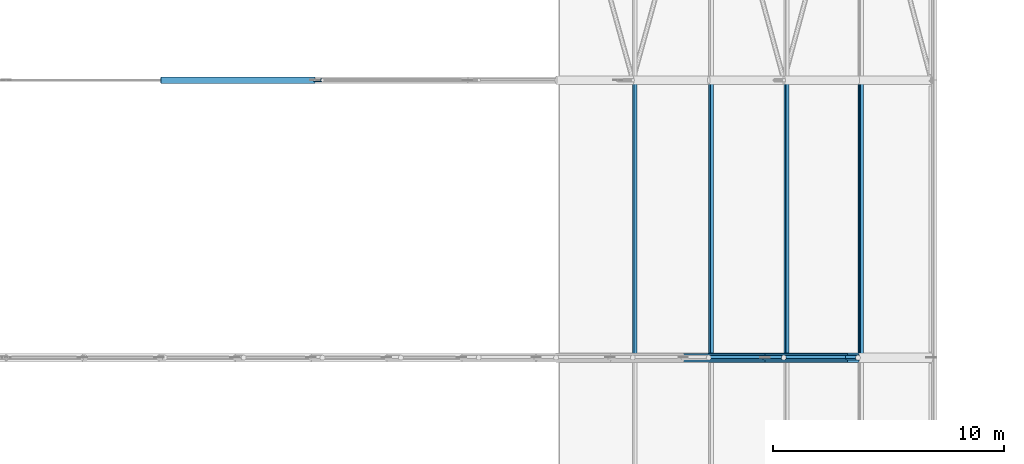
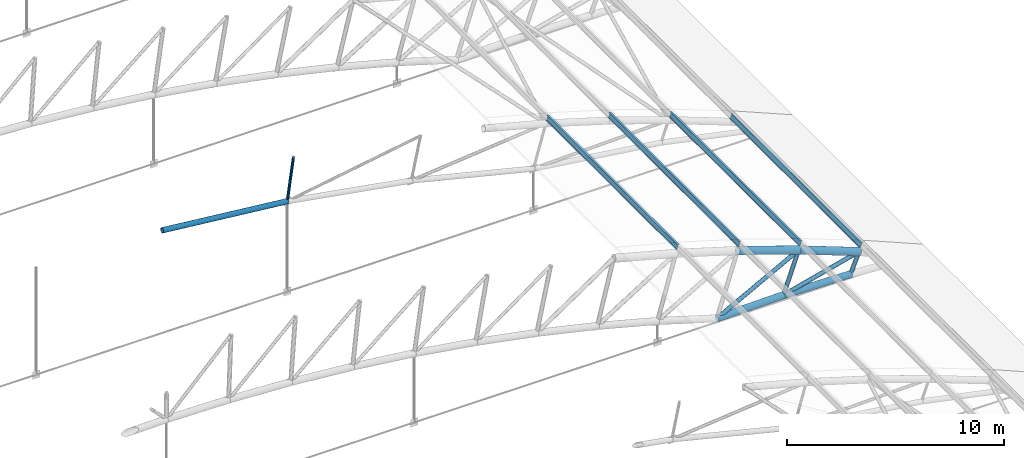
# One storey, part 50 of 321: 14 members.
"""IFC4 building model written with IfcOpenShell, lengths in metres."""

import ifcopenshell
import ifcopenshell.guid

model = None  # the IFC model being written
_history = None  # IfcOwnerHistory: only IFC2X3 demands one
_inside = {}  # id of a spatial element -> (the spatial element, [elements in it])
_under = {}  # id of a project, library or spatial element -> (it, [spatial elements below it])
_declared = {}  # id of a project -> (the project, [libraries it declares])
_typed = {}  # id of a type object -> (the type object, [elements of that type])
_made_of = {}  # id of a material, layer set ... -> (it, [elements and type objects made of it])


def new_model(schema):
    """Start an empty IFC model of exactly this schema.

    Asked for "IFC4X3", IfcOpenShell would pick the latest addendum, in which some entities
    have other attributes; the version numbers below select the first issue.
    IFC2X3 requires an IfcOwnerHistory on every rooted entity: one is made here for all.
    """
    global model, _history
    if schema == "IFC4X3":
        model = ifcopenshell.file(schema_version=(4, 3, 0, 0))
    else:
        model = ifcopenshell.file(schema=schema)
    _inside.clear()
    _under.clear()
    _declared.clear()
    _typed.clear()
    _made_of.clear()
    _history = None
    if model.schema == "IFC2X3":
        org = make("IfcOrganization", Name="unknown")
        user = make(
            "IfcPersonAndOrganization",
            ThePerson=make("IfcPerson", FamilyName="unknown"),
            TheOrganization=org,
        )
        app = make(
            "IfcApplication",
            ApplicationDeveloper=org,
            Version="unknown",
            ApplicationFullName="unknown",
            ApplicationIdentifier="unknown",
        )
        _history = make(
            "IfcOwnerHistory",
            OwningUser=user,
            OwningApplication=app,
            ChangeAction="ADDED",
            CreationDate=0,
        )
    return model


def make(cls, **values):
    """One entity of the class cls with the attributes given. An attribute that is None is left unset."""
    return model.create_entity(
        cls, **{name: value for name, value in values.items() if value is not None}
    )


def rooted(cls, **values):
    """An entity with a GlobalId (a new one), such as an element, a storey or a relation."""
    return make(cls, GlobalId=ifcopenshell.guid.new(), OwnerHistory=_history, **values)


def si_unit(unit_type, name, prefix=None):
    """IfcSIUnit, for example si_unit("LENGTHUNIT", "METRE", prefix="MILLI")."""
    return make("IfcSIUnit", UnitType=unit_type, Prefix=prefix, Name=name)


def assignment(units):
    """IfcUnitAssignment: the units of a project."""
    return None if units is None else make("IfcUnitAssignment", Units=units)


def point(xyz):
    """IfcCartesianPoint."""
    return None if xyz is None else make("IfcCartesianPoint", Coordinates=xyz)


def direction(xyz):
    """IfcDirection."""
    return None if xyz is None else make("IfcDirection", DirectionRatios=xyz)


def frame(location, z_axis=None, x_axis=None):
    """IfcAxis2Placement3D, a coordinate frame: its origin and axes. An axis left out is left unset."""
    return make(
        "IfcAxis2Placement3D",
        Location=point(location),
        Axis=direction(z_axis),
        RefDirection=direction(x_axis),
    )


def frame_2d(location, x_axis=None):
    """IfcAxis2Placement2D, a coordinate frame in the plane: its origin and x axis."""
    return make(
        "IfcAxis2Placement2D", Location=point(location), RefDirection=direction(x_axis)
    )


def origin():
    """The frame at (0, 0, 0) with its axes left unset."""
    return frame((0.0, 0.0, 0.0))


def origin_2d():
    """The frame at (0, 0) in the plane with its x axis left unset."""
    return frame_2d((0.0, 0.0))


def place(relative_to, where):
    """IfcLocalPlacement: puts the frame where relative to a parent placement (None: the world)."""
    return make(
        "IfcLocalPlacement", PlacementRelTo=relative_to, RelativePlacement=where
    )


def context(
    kind, dimensions, precision=None, world=None, true_north=None, identifier=None
):
    """IfcGeometricRepresentationContext, for example the 3D "Model" context."""
    return make(
        "IfcGeometricRepresentationContext",
        ContextIdentifier=identifier,
        ContextType=kind,
        CoordinateSpaceDimension=dimensions,
        Precision=precision,
        WorldCoordinateSystem=world,
        TrueNorth=true_north,
    )


def subcontext(parent, identifier, kind, view, scale=None):
    """IfcGeometricRepresentationSubContext, for example "Body" below "Model"."""
    return make(
        "IfcGeometricRepresentationSubContext",
        ContextIdentifier=identifier,
        ContextType=kind,
        ParentContext=parent,
        TargetScale=scale,
        TargetView=view,
    )


def project(units=None, contexts=None):
    """IfcProject with its units and contexts."""
    return rooted(
        "IfcProject",
        Name="project",
        RepresentationContexts=contexts,
        UnitsInContext=assignment(units),
    )


def spatial(cls, under=None, at=None, **own):
    """A site, building, storey or space (cls), placed at a placement, below another one or the project."""
    s = rooted(cls, ObjectPlacement=at, **own)
    if under is not None:
        _under.setdefault(under.id(), (under, []))[1].append(s)
    return s


def profile(cls, at=None, kind="AREA", **sizes):
    """A parametric profile (cls). Its sizes go by their IFC names, for example OverallWidth=200.0."""
    return make(cls, ProfileType=kind, Position=at, **sizes)


def hollow_circle(**sizes):
    """IfcCircleHollowProfileDef."""
    return profile("IfcCircleHollowProfileDef", **sizes)


def i_section(**sizes):
    """IfcIShapeProfileDef."""
    return profile("IfcIShapeProfileDef", **sizes)


def extrude(swept, where, along, depth):
    """IfcExtrudedAreaSolid: the profile swept, set in the frame where, extruded along a direction by depth."""
    return make(
        "IfcExtrudedAreaSolid",
        SweptArea=swept,
        Position=where,
        ExtrudedDirection=direction(along),
        Depth=depth,
    )


def shape(context_of_items, identifier, shape_type, items):
    """IfcShapeRepresentation: the items that make up one representation, for example the "Body"."""
    return make(
        "IfcShapeRepresentation",
        ContextOfItems=context_of_items,
        RepresentationIdentifier=identifier,
        RepresentationType=shape_type,
        Items=items,
    )


def material(Name=None, Category=None):
    """IfcMaterial."""
    return make("IfcMaterial", Name=Name, Category=Category)


def material_profile(
    of_material, cross_section, Name=None, Category=None, Priority=None
):
    """IfcMaterialProfile: a cross section and its material."""
    return make(
        "IfcMaterialProfile",
        Name=Name,
        Material=of_material,
        Profile=cross_section,
        Priority=Priority,
        Category=Category,
    )


def profile_set(profiles, Name=None, composite=None):
    """IfcMaterialProfileSet."""
    return make(
        "IfcMaterialProfileSet",
        Name=Name,
        MaterialProfiles=profiles,
        CompositeProfile=composite,
    )


def made_of(thing, what):
    """Note that an element or type object is made of a material, layer set ...; save() writes the relation."""
    if what is not None:
        _made_of.setdefault(what.id(), (what, []))[1].append(thing)
    return thing


def type_object(cls, material=None, **own):
    """A type object (cls), such as IfcWallType, which elements share."""
    return made_of(rooted(cls, **own), material)


def element(
    cls,
    number,
    at=None,
    inside=None,
    cuts=None,
    type_object=None,
    material=None,
    context=None,
    identifier="Body",
    shape_type=None,
    held_by="IfcProductDefinitionShape",
    body=None,
    shapes=None,
    **own,
):
    """One element of the class cls, such as IfcWall. Its Tag is "e" and its number.

    at: its placement. inside: the storey or other place that contains it. cuts: it is an
    opening in that element (IfcRelVoidsElement). A single representation is given by context,
    identifier, shape_type and body (its items); several are given by shapes. held_by: the class
    of the entity that holds the representations. save() writes the other relations.
    """
    e = rooted(cls, Tag="e%d" % number, ObjectPlacement=at, **own)
    if body is not None:
        shapes = [shape(context, identifier, shape_type, body)]
    if shapes is not None:
        e.Representation = make(held_by, Representations=shapes)
    if inside is not None:
        _inside.setdefault(inside.id(), (inside, []))[1].append(e)
    if cuts is not None:
        rooted(
            "IfcRelVoidsElement", RelatingBuildingElement=cuts, RelatedOpeningElement=e
        )
    if type_object is not None:
        _typed.setdefault(type_object.id(), (type_object, []))[1].append(e)
    return made_of(e, material)


def aggregate(whole, parts):
    """IfcRelAggregates: a whole, such as a stair, and the parts it consists of."""
    return rooted("IfcRelAggregates", RelatingObject=whole, RelatedObjects=parts)


def save(model, path):
    """Write the relations noted so far, then the file.

    IfcRelAggregates (storeys below a building ...), IfcRelContainedInSpatialStructure (elements
    in a storey), IfcRelDefinesByType, IfcRelAssociatesMaterial and IfcRelDeclares: one each for
    every whole, place, type object, material and project.
    """
    for whole, parts in _under.values():
        aggregate(whole, parts)
    for where, things in _inside.values():
        rooted(
            "IfcRelContainedInSpatialStructure",
            RelatedElements=things,
            RelatingStructure=where,
        )
    for kind, things in _typed.values():
        rooted("IfcRelDefinesByType", RelatedObjects=things, RelatingType=kind)
    for what, things in _made_of.values():
        rooted("IfcRelAssociatesMaterial", RelatedObjects=things, RelatingMaterial=what)
    for by, libraries in _declared.values():
        rooted("IfcRelDeclares", RelatingContext=by, RelatedDefinitions=libraries)
    model.write(path)


model = new_model("IFC4")

# Units and contexts
model_context = context("Model", 3, precision=1e-05, world=origin(), true_north=direction((0.0, 1.0)))
body_context = subcontext(model_context, "Body", "Model", "MODEL_VIEW")
ifc_project = project(units=[si_unit("LENGTHUNIT", "METRE"), si_unit("AREAUNIT", "SQUARE_METRE"), si_unit("VOLUMEUNIT", "CUBIC_METRE"), si_unit("PLANEANGLEUNIT", "RADIAN"), si_unit("MASSUNIT", "GRAM", prefix="KILO")], contexts=[model_context])

# Site, building, storey
site_placement = place(None, origin())
site = spatial("IfcSite", under=ifc_project, at=site_placement, CompositionType="ELEMENT")
building_placement = place(site_placement, origin())
building = spatial("IfcBuilding", under=site, at=building_placement, Name="Ravi Spectrum Wholesale Market", CompositionType="ELEMENT")
storey_placement = place(building_placement, frame((0.0, 0.0, 10.800048828125)))
storey = spatial("IfcBuildingStorey", under=building, at=storey_placement, Name="L02", CompositionType="ELEMENT", Elevation=10.800048828125)

# Members
ifc_material_1 = material(Name="Steel S355", Category="steel")
ifc_material_profile_1 = material_profile(ifc_material_1, hollow_circle(Radius=0.06982421875, WallThickness=0.0048828125, at=origin_2d()))
ifc_profile_set_1 = profile_set([ifc_material_profile_1], Name="Steel S355")
member_type_1 = type_object("IfcMemberType", Name="CHS 139.7x5 post", PredefinedType="POST", material=ifc_profile_set_1)
member_1_placement = place(storey_placement, frame((83.681884765625, 66.0, 7.479736328125), z_axis=(-0.137532332315, 0.0, -0.990497277921), x_axis=(0.0, -1.0, 0.0)))
element("IfcMember", 1, at=member_1_placement, inside=storey, type_object=member_type_1, Name="H1-MB-L02-305", PredefinedType="POST", context=body_context, shape_type="SweptSolid", body=[
    extrude(hollow_circle(Radius=0.06982421875, WallThickness=0.0048828125, at=origin_2d()), origin(), (0.0, 0.0, 1.0), 2.39990234375),
])
ifc_material_2 = material(Name="Steel S355", Category="steel")
ifc_material_profile_2 = material_profile(ifc_material_2, hollow_circle(Radius=0.109619140625, WallThickness=0.008056640625, at=origin_2d()))
ifc_profile_set_2 = profile_set([ifc_material_profile_2], Name="Steel S355")
member_type_2 = type_object("IfcMemberType", Name="CHS 219.1x8 brace", PredefinedType="BRACE", material=ifc_profile_set_2)
member_2_placement = place(storey_placement, frame((103.62841796875, 54.0, 2.541015625), z_axis=(-0.881933088563, 0.0, -0.471374614608), x_axis=(0.0, -1.0, 0.0)))
element("IfcMember", 2, at=member_2_placement, inside=storey, type_object=member_type_2, Name="H1-MB-L02-254", PredefinedType="BRACE", context=body_context, shape_type="SweptSolid", body=[
    extrude(hollow_circle(Radius=0.109619140625, WallThickness=0.008056640625, at=origin_2d()), origin(), (0.0, 0.0, 1.0), 4.9296875),
])
member_3_placement = place(storey_placement, frame((106.836181640625, 54.0, 1.325439453125), z_axis=(-0.967942387937, 0.0, -0.251172318609), x_axis=(0.0, -1.0, 0.0)))
element("IfcMember", 3, at=member_3_placement, inside=storey, type_object=member_type_2, Name="H1-MB-L02-255", PredefinedType="BRACE", context=body_context, shape_type="SweptSolid", body=[
    extrude(hollow_circle(Radius=0.109619140625, WallThickness=0.008056640625, at=origin_2d()), origin(), (0.0, 0.0, 1.0), 4.15234375),
])
ifc_material_3 = material(Name="Steel S355", Category="steel")
ifc_material_profile_3 = material_profile(ifc_material_3, hollow_circle(Radius=0.109619140625, WallThickness=0.008056640625, at=origin_2d()))
ifc_profile_set_3 = profile_set([ifc_material_profile_3], Name="Steel S355")
member_type_3 = type_object("IfcMemberType", Name="CHS 219.1x8 post", PredefinedType="POST", material=ifc_profile_set_3)
member_4_placement = place(storey_placement, frame((103.62841796875, 54.0, 2.541015625), z_axis=(-0.338146640483, 0.0, -0.941093432944), x_axis=(0.0, -1.0, 0.0)))
element("IfcMember", 4, at=member_4_placement, inside=storey, type_object=member_type_3, Name="H1-MB-L02-232", PredefinedType="POST", context=body_context, shape_type="SweptSolid", body=[
    extrude(hollow_circle(Radius=0.109619140625, WallThickness=0.008056640625, at=origin_2d()), origin(), (0.0, 0.0, 1.0), 2.39990234375),
])
member_5_placement = place(storey_placement, frame((106.836181640625, 54.0, 1.325439453125), z_axis=(-0.370513497528, 0.0, -0.928827081942), x_axis=(0.0, -1.0, 0.0)))
element("IfcMember", 5, at=member_5_placement, inside=storey, type_object=member_type_3, Name="H1-MB-L02-233", PredefinedType="POST", context=body_context, shape_type="SweptSolid", body=[
    extrude(hollow_circle(Radius=0.109619140625, WallThickness=0.008056640625, at=origin_2d()), origin(), (0.0, 0.0, 1.0), 1.199951171875),
])
ifc_material_4 = material(Name="Steel S355", Category="steel")
ifc_material_profile_4 = material_profile(ifc_material_4, hollow_circle(Radius=0.136474609375, WallThickness=0.010009765625, at=origin_2d()))
ifc_profile_set_4 = profile_set([ifc_material_profile_4], Name="Steel S355")
member_type_4 = type_object("IfcMemberType", Name="CHS 273x10 chord", PredefinedType="CHORD", material=ifc_profile_set_4)
member_6_placement = place(storey_placement, frame((76.69189453125, 66.0, 5.79443359375), z_axis=(0.994646786479, 0.0, -0.103333296414), x_axis=(0.0, 1.0, 0.0)))
element("IfcMember", 6, at=member_6_placement, inside=storey, type_object=member_type_4, Name="H1-MB-L02-293", PredefinedType="CHORD", context=body_context, shape_type="SweptSolid", body=[
    extrude(hollow_circle(Radius=0.136474609375, WallThickness=0.010009765625, at=origin_2d()), origin(), (0.0, 0.0, 1.0), 6.69580078125),
])
ifc_material_5 = material(Name="Steel S355", Category="steel")
ifc_material_profile_5 = material_profile(ifc_material_5, hollow_circle(Radius=0.177734375, WallThickness=0.012451171875, at=origin_2d()))
ifc_profile_set_5 = profile_set([ifc_material_profile_5], Name="Steel S355")
member_type_5 = type_object("IfcMemberType", Name="CHS 355.6x12.5 chord", PredefinedType="CHORD", material=ifc_profile_set_5)
member_7_placement = place(storey_placement, frame((99.28076171875, 54.0, 0.21728515625), z_axis=(0.999830134639, 0.0, 0.018431002896), x_axis=(0.0, 1.0, 0.0)))
element("IfcMember", 7, at=member_7_placement, inside=storey, type_object=member_type_5, Name="H1-MB-L02-208", PredefinedType="CHORD", context=body_context, shape_type="SweptSolid", body=[
    extrude(hollow_circle(Radius=0.177734375, WallThickness=0.012451171875, at=origin_2d()), origin(), (0.0, 0.0, 1.0), 3.53662109375),
])
member_8_placement = place(storey_placement, frame((102.81689453125, 54.0, 0.282470703125), z_axis=(0.999799841502, 0.0, -0.020006922112), x_axis=(0.0, 1.0, 0.0)))
element("IfcMember", 8, at=member_8_placement, inside=storey, type_object=member_type_5, Name="H1-MB-L02-209", PredefinedType="CHORD", context=body_context, shape_type="SweptSolid", body=[
    extrude(hollow_circle(Radius=0.177734375, WallThickness=0.012451171875, at=origin_2d()), origin(), (0.0, 0.0, 1.0), 3.575439453125),
])
ifc_material_6 = material(Name="Steel S355", Category="steel")
ifc_material_profile_6 = material_profile(ifc_material_6, hollow_circle(Radius=0.203125, WallThickness=0.01611328125, at=origin_2d()))
ifc_profile_set_6 = profile_set([ifc_material_profile_6], Name="Steel S355")
member_type_6 = type_object("IfcMemberType", Name="CHS 406.4x16 chord", PredefinedType="CHORD", material=ifc_profile_set_6)
for number, where, z_axis, x_axis, name in (
    (9, (100.380615234375, 54.0, 3.645263671875), (0.946773178626, 0.0, -0.321901457335), (0.0, 1.0, 0.0), "H1-MB-L02-184"),
    (10, (103.62841796875, 54.0, 2.541015625), (0.935109783896, 0.0, -0.354358140956), (0.0, 1.0, 0.0), "H1-MB-L02-185"),
):
    element("IfcMember", number, at=place(storey_placement, frame(where, z_axis=z_axis, x_axis=x_axis)), inside=storey, type_object=member_type_6, Name=name, PredefinedType="CHORD", context=body_context, shape_type="SweptSolid", body=[
        extrude(hollow_circle(Radius=0.203125, WallThickness=0.01611328125, at=origin_2d()), origin(), (0.0, 0.0, 1.0), 3.430419921875),
    ])
ifc_material_7 = material(Name="Steel S355", Category="steel")
ifc_material_profile_7 = material_profile(ifc_material_7, i_section(OverallWidth=0.135009765625, OverallDepth=0.27001953125, WebThickness=0.006591796875, FlangeThickness=0.01025390625, at=origin_2d()))
ifc_profile_set_7 = profile_set([ifc_material_profile_7], Name="Steel S355")
member_type_7 = type_object("IfcMemberType", Name="IPE 270 purlin", PredefinedType="PURLIN", material=ifc_profile_set_7)
for number, where, z_axis, x_axis, name in (
    (11, (97.18896484375, 54.0, 4.962158203125), (0.0, 1.0, 0.0), (-0.96215600485, 0.0, 0.272499215286), "H1-MB-L02-1304"),
    (12, (100.484130859375, 54.0, 3.96728515625), (0.0, 1.0, 0.0), (-0.952184497174, 0.0, 0.305523621577), "H1-MB-L02-1305"),
    (13, (103.74267578125, 54.0, 2.859375), (0.0, 1.0, 0.0), (-0.941079849597, 0.0, 0.338184441811), "H1-MB-L02-1306"),
    (14, (106.96142578125, 54.0, 1.6396484375), (0.0, 1.0, 0.0), (-0.928855283584, 0.0, 0.370442792017), "H1-MB-L02-1307"),
):
    element("IfcMember", number, at=place(storey_placement, frame(where, z_axis=z_axis, x_axis=x_axis)), inside=storey, type_object=member_type_7, Name=name, PredefinedType="PURLIN", context=body_context, shape_type="SweptSolid", body=[
        extrude(i_section(OverallWidth=0.135009765625, OverallDepth=0.27001953125, WebThickness=0.006591796875, FlangeThickness=0.01025390625, at=origin_2d()), origin(), (0.0, 0.0, 1.0), 12.0),
    ])

save(model, "model.ifc")
